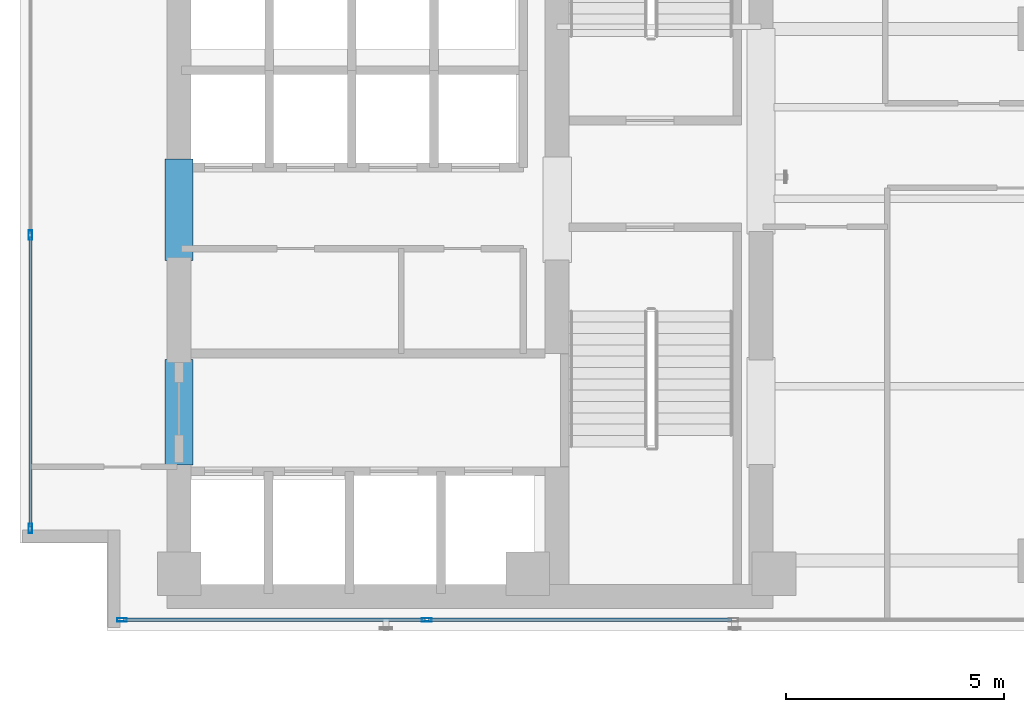
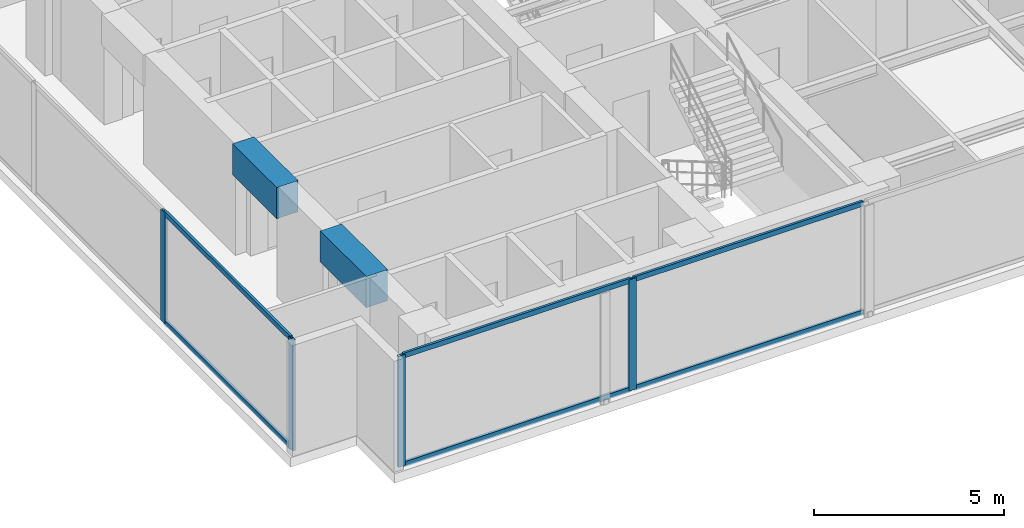
# One storey, part 2 of 25: 10 members, 2 beams, 2 elements without a shape of their own.
"""IFC4 building model written with IfcOpenShell, lengths in metres."""

from ifc_helpers import new_model, si_unit, direction, frame, origin, origin_with_axes, origin_2d, place, context, subcontext, project, spatial, rectangle, hollow_rectangle, extrude, source, transform, mapped, material, layer, layer_set, material_profile, profile_set, type_object, element, aggregate, save


model = new_model("IFC4")

# Units and contexts
model_context = context("Model", 3, precision=1e-05, world=origin(), true_north=direction((0.0, 1.0)))
body_context = subcontext(model_context, "Body", "Model", "MODEL_VIEW")
ifc_project = project(units=[si_unit("LENGTHUNIT", "METRE"), si_unit("AREAUNIT", "SQUARE_METRE"), si_unit("VOLUMEUNIT", "CUBIC_METRE"), si_unit("PLANEANGLEUNIT", "RADIAN"), si_unit("MASSUNIT", "GRAM", prefix="KILO")], contexts=[model_context])

# Site, building, storey
site_placement = place(None, origin())
site = spatial("IfcSite", under=ifc_project, at=site_placement, CompositionType="ELEMENT")
building_placement = place(site_placement, origin())
building = spatial("IfcBuilding", under=site, at=building_placement, Name="Kolvaren Waterfront Exchange", CompositionType="ELEMENT")
storey_placement = place(building_placement, frame((0.0, 0.0, 223.5)))
storey = spatial("IfcBuildingStorey", under=building, at=storey_placement, Name="L57", CompositionType="ELEMENT", Elevation=223.5)

# Beams
ifc_material_1 = material(Name="Concrete C60/75", Category="concrete")
ifc_material_profile_1 = material_profile(ifc_material_1, rectangle(XDim=0.64990234375, YDim=1.0, at=origin_2d()), Name="RC-CB-1000x650")
ifc_profile_set_1 = profile_set([ifc_material_profile_1], Name="Concrete C60/75")
beam_type = type_object("IfcBeamType", Name="STR-CB-1000", PredefinedType="SPANDREL", material=ifc_profile_set_1)
beam_1_placement = place(storey_placement, frame((7.449951171875, 7.389892578125, 3.06005859375), z_axis=(0.0, 1.0, 0.0), x_axis=(-1.0, 0.0, 0.0)))
element("IfcBeam", 1, at=beam_1_placement, inside=storey, type_object=beam_type, Name="L57 core coupling beam 3", PredefinedType="SPANDREL", context=body_context, shape_type="SweptSolid", body=[
    extrude(rectangle(XDim=0.64990234375, YDim=1.0, at=origin_2d()), origin(), (0.0, 0.0, 1.0), 2.420166015625),
])
beam_2_placement = place(storey_placement, frame((7.449951171875, 12.090087890625, 3.06005859375), z_axis=(0.0, 1.0, 0.0), x_axis=(-1.0, 0.0, 0.0)))
element("IfcBeam", 2, at=beam_2_placement, inside=storey, type_object=beam_type, Name="L57 core coupling beam 4", PredefinedType="SPANDREL", context=body_context, shape_type="SweptSolid", body=[
    extrude(rectangle(XDim=0.64990234375, YDim=1.0, at=origin_2d()), origin(), (0.0, 0.0, 1.0), 2.31982421875),
])

# Curtain wall, members
ifc_material_2 = material(Name="Anodised bronze aluminium 6063-T6", Category="aluminium")
ifc_layer_1 = layer(ifc_material_2, 0.219970703125, Name="Anodised bronze aluminium 6063-T6")
ifc_layer_set_1 = layer_set([ifc_layer_1], Name="Anodised bronze aluminium 6063-T6")
curtain_wall_type_1 = type_object("IfcCurtainWallType", Name="ARC-CW-SYS4", PredefinedType="USERDEFINED", material=ifc_layer_set_1)
curtain_wall_1_placement = place(storey_placement, origin())
curtain_wall_1 = element("IfcCurtainWall", 3, at=curtain_wall_1_placement, inside=storey, type_object=curtain_wall_type_1, Name="L57 stick curtain wall CW4 (CW-L57-S)", ObjectType="STICK CURTAIN WALL", PredefinedType="USERDEFINED")
ifc_material_3 = material(Name="Anodised aluminium 6063-T6", Category="aluminium")
ifc_material_profile_2 = material_profile(ifc_material_3, hollow_rectangle(XDim=0.080078125, YDim=0.219970703125, WallThickness=0.0048828125, at=origin_2d()), Name="ALU-MUL-220x80x5")
ifc_profile_set_2 = profile_set([ifc_material_profile_2], Name="Anodised aluminium 6063-T6")
member_type_1 = type_object("IfcMemberType", Name="ARC-CWM-220", PredefinedType="MULLION", material=ifc_profile_set_2)
shared_shape_1 = source(origin_with_axes(), body_context, "Body", "SweptSolid", [
    extrude(hollow_rectangle(XDim=0.080078125, YDim=0.219970703125, WallThickness=0.0048828125, at=origin_2d()), origin(), (0.0, 0.0, 1.0), 3.56005859375),
])
member_1_placement = place(storey_placement, frame((6.139892578125, 3.840087890625, 0.0), z_axis=(0.0, 0.0, 1.0), x_axis=(0.0, 1.0, 0.0)))
member_1 = element("IfcMember", 4, at=member_1_placement, type_object=member_type_1, Name="CW4 mullion 1", PredefinedType="MULLION", context=body_context, shape_type="MappedRepresentation", body=[
    mapped(shared_shape_1, transform((0.0, 0.0, 0.0), x_axis=(1.0, 0.0, 0.0), y_axis=(0.0, 1.0, 0.0), z_axis=(0.0, 0.0, 1.0), scale=1.0)),
])
member_2_placement = place(storey_placement, frame((13.13330078125, 3.840087890625, 0.0), z_axis=(0.0, 0.0, 1.0), x_axis=(0.0, 1.0, 0.0)))
member_2 = element("IfcMember", 5, at=member_2_placement, type_object=member_type_1, Name="CW4 mullion 2", PredefinedType="MULLION", context=body_context, shape_type="MappedRepresentation", body=[
    mapped(shared_shape_1, transform((0.0, 0.0, 0.0), x_axis=(1.0, 0.0, 0.0), y_axis=(0.0, 1.0, 0.0), z_axis=(0.0, 0.0, 1.0), scale=1.0)),
])

ifc_layer_2 = layer(ifc_material_3, 0.219970703125, Name="Anodised aluminium 6063-T6")
ifc_layer_set_2 = layer_set([ifc_layer_2], Name="Anodised aluminium 6063-T6")
curtain_wall_type_2 = type_object("IfcCurtainWallType", Name="ARC-CW-SYS2", PredefinedType="USERDEFINED", material=ifc_layer_set_2)
curtain_wall_2_placement = place(storey_placement, origin())
curtain_wall_2 = element("IfcCurtainWall", 6, at=curtain_wall_2_placement, inside=storey, type_object=curtain_wall_type_2, Name="L57 stick curtain wall CW2 (CW-L57-W)", ObjectType="STICK CURTAIN WALL", PredefinedType="USERDEFINED")
member_3_placement = place(storey_placement, frame((4.0400390625, 5.93994140625, 0.0), z_axis=(0.0, 0.0, 1.0), x_axis=(-1.0, 0.0, 0.0)))
member_3 = element("IfcMember", 7, at=member_3_placement, type_object=member_type_1, Name="CW2 mullion 1", PredefinedType="MULLION", context=body_context, shape_type="MappedRepresentation", body=[
    mapped(shared_shape_1, transform((0.0, 0.0, 0.0), x_axis=(1.0, 0.0, 0.0), y_axis=(0.0, 1.0, 0.0), z_axis=(0.0, 0.0, 1.0), scale=1.0)),
])
member_4_placement = place(storey_placement, frame((4.0400390625, 12.666748046875, 0.0), z_axis=(0.0, 0.0, 1.0), x_axis=(-1.0, 0.0, 0.0)))
member_4 = element("IfcMember", 8, at=member_4_placement, type_object=member_type_1, Name="CW2 mullion 2", PredefinedType="MULLION", context=body_context, shape_type="MappedRepresentation", body=[
    mapped(shared_shape_1, transform((0.0, 0.0, 0.0), x_axis=(1.0, 0.0, 0.0), y_axis=(0.0, 1.0, 0.0), z_axis=(0.0, 0.0, 1.0), scale=1.0)),
])
ifc_material_profile_3 = material_profile(ifc_material_3, hollow_rectangle(XDim=0.074951171875, YDim=0.159912109375, WallThickness=0.00439453125, at=origin_2d()), Name="ALU-TRN-160x75x4.5")
ifc_profile_set_3 = profile_set([ifc_material_profile_3], Name="Anodised aluminium 6063-T6")
member_type_2 = type_object("IfcMemberType", Name="ARC-CWT-160", PredefinedType="USERDEFINED", material=ifc_profile_set_3)
shared_shape_2 = source(origin_with_axes(), body_context, "Body", "SweptSolid", [
    extrude(hollow_rectangle(XDim=0.074951171875, YDim=0.159912109375, WallThickness=0.00439453125, at=origin_2d()), origin(), (0.0, 0.0, 1.0), 6.646728515625),
])
member_5_placement = place(storey_placement, frame((4.0400390625, 5.97998046875, 0.03759765625), z_axis=(0.0, 1.0, 0.0), x_axis=(-1.0, 0.0, 0.0)))
member_5 = element("IfcMember", 9, at=member_5_placement, type_object=member_type_2, Name="CW2 transom 1.1", ObjectType="TRANSOM", PredefinedType="USERDEFINED", context=body_context, shape_type="MappedRepresentation", body=[
    mapped(shared_shape_2, transform((0.0, 0.0, 0.0), x_axis=(1.0, 0.0, 0.0), y_axis=(0.0, 1.0, 0.0), z_axis=(0.0, 0.0, 1.0), scale=1.0)),
])
member_6_placement = place(storey_placement, frame((4.0400390625, 5.97998046875, 3.5224609375), z_axis=(0.0, 1.0, 0.0), x_axis=(-1.0, 0.0, 0.0)))
member_6 = element("IfcMember", 10, at=member_6_placement, type_object=member_type_2, Name="CW2 transom 1.2", ObjectType="TRANSOM", PredefinedType="USERDEFINED", context=body_context, shape_type="MappedRepresentation", body=[
    mapped(shared_shape_2, transform((0.0, 0.0, 0.0), x_axis=(1.0, 0.0, 0.0), y_axis=(0.0, 1.0, 0.0), z_axis=(0.0, 0.0, 1.0), scale=1.0)),
])
aggregate(curtain_wall_2, [member_3, member_4, member_5, member_6])

# Member
shared_shape_3 = source(origin_with_axes(), body_context, "Body", "SweptSolid", [
    extrude(hollow_rectangle(XDim=0.074951171875, YDim=0.159912109375, WallThickness=0.00439453125, at=origin_2d()), origin(), (0.0, 0.0, 1.0), 6.913330078125),
])
member_7_placement = place(storey_placement, frame((6.179931640625, 3.840087890625, 0.03759765625), z_axis=(1.0, 0.0, 0.0), x_axis=(0.0, 1.0, 0.0)))
member_7 = element("IfcMember", 11, at=member_7_placement, type_object=member_type_2, Name="CW4 transom 1.1", ObjectType="TRANSOM", PredefinedType="USERDEFINED", context=body_context, shape_type="MappedRepresentation", body=[
    mapped(shared_shape_3, transform((0.0, 0.0, 0.0), x_axis=(1.0, 0.0, 0.0), y_axis=(0.0, 1.0, 0.0), z_axis=(0.0, 0.0, 1.0), scale=1.0)),
])

member_8_placement = place(storey_placement, frame((6.179931640625, 3.840087890625, 3.5224609375), z_axis=(1.0, 0.0, 0.0), x_axis=(0.0, 1.0, 0.0)))
member_8 = element("IfcMember", 12, at=member_8_placement, type_object=member_type_2, Name="CW4 transom 1.2", ObjectType="TRANSOM", PredefinedType="USERDEFINED", context=body_context, shape_type="MappedRepresentation", body=[
    mapped(shared_shape_3, transform((0.0, 0.0, 0.0), x_axis=(1.0, 0.0, 0.0), y_axis=(0.0, 1.0, 0.0), z_axis=(0.0, 0.0, 1.0), scale=1.0)),
])

shared_shape_4 = source(origin_with_axes(), body_context, "Body", "SweptSolid", [
    extrude(hollow_rectangle(XDim=0.074951171875, YDim=0.159912109375, WallThickness=0.00439453125, at=origin_2d()), origin(), (0.0, 0.0, 1.0), 6.953369140625),
])
member_9_placement = place(storey_placement, frame((13.17333984375, 3.840087890625, 0.03759765625), z_axis=(1.0, 0.0, 0.0), x_axis=(0.0, 1.0, 0.0)))
member_9 = element("IfcMember", 13, at=member_9_placement, type_object=member_type_2, Name="CW4 transom 2.1", ObjectType="TRANSOM", PredefinedType="USERDEFINED", context=body_context, shape_type="MappedRepresentation", body=[
    mapped(shared_shape_4, transform((0.0, 0.0, 0.0), x_axis=(1.0, 0.0, 0.0), y_axis=(0.0, 1.0, 0.0), z_axis=(0.0, 0.0, 1.0), scale=1.0)),
])

member_10_placement = place(storey_placement, frame((13.17333984375, 3.840087890625, 3.5224609375), z_axis=(1.0, 0.0, 0.0), x_axis=(0.0, 1.0, 0.0)))
member_10 = element("IfcMember", 14, at=member_10_placement, type_object=member_type_2, Name="CW4 transom 2.2", ObjectType="TRANSOM", PredefinedType="USERDEFINED", context=body_context, shape_type="MappedRepresentation", body=[
    mapped(shared_shape_4, transform((0.0, 0.0, 0.0), x_axis=(1.0, 0.0, 0.0), y_axis=(0.0, 1.0, 0.0), z_axis=(0.0, 0.0, 1.0), scale=1.0)),
])

aggregate(curtain_wall_1, [member_1, member_2, member_7, member_8, member_9, member_10])

save(model, "model.ifc")
